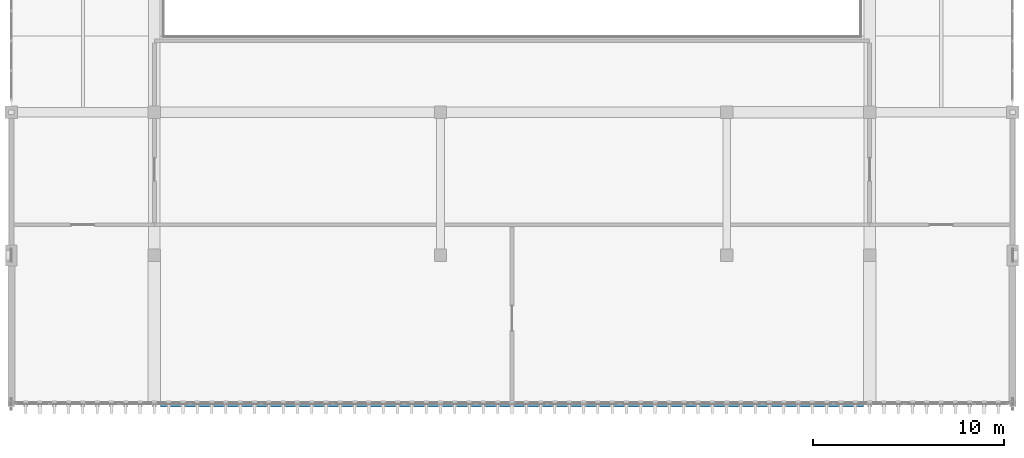
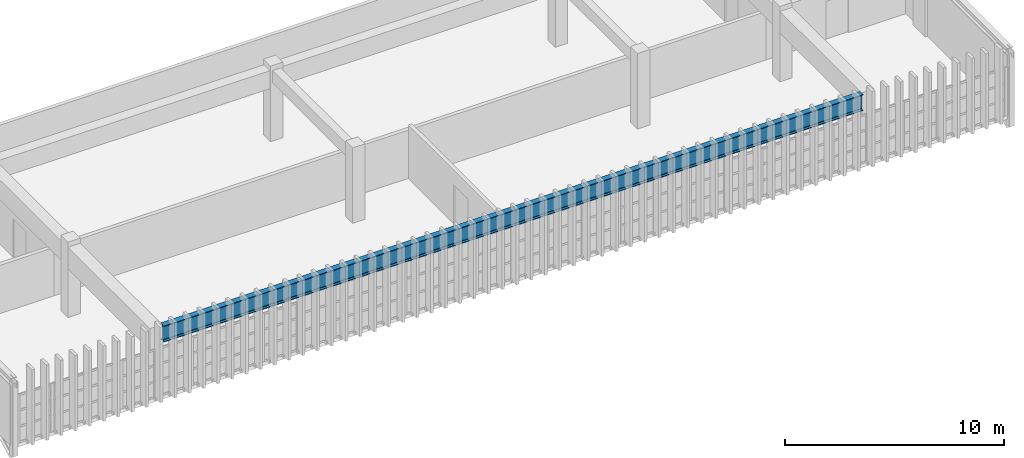
# One storey, part 11 of 51: 1 beam.
"""IFC4 building model written with IfcOpenShell, lengths in metres."""

import ifcopenshell
import ifcopenshell.guid

model = None  # the IFC model being written
_history = None  # IfcOwnerHistory: only IFC2X3 demands one
_inside = {}  # id of a spatial element -> (the spatial element, [elements in it])
_under = {}  # id of a project, library or spatial element -> (it, [spatial elements below it])
_declared = {}  # id of a project -> (the project, [libraries it declares])
_typed = {}  # id of a type object -> (the type object, [elements of that type])
_made_of = {}  # id of a material, layer set ... -> (it, [elements and type objects made of it])


def new_model(schema):
    """Start an empty IFC model of exactly this schema.

    Asked for "IFC4X3", IfcOpenShell would pick the latest addendum, in which some entities
    have other attributes; the version numbers below select the first issue.
    IFC2X3 requires an IfcOwnerHistory on every rooted entity: one is made here for all.
    """
    global model, _history
    if schema == "IFC4X3":
        model = ifcopenshell.file(schema_version=(4, 3, 0, 0))
    else:
        model = ifcopenshell.file(schema=schema)
    _inside.clear()
    _under.clear()
    _declared.clear()
    _typed.clear()
    _made_of.clear()
    _history = None
    if model.schema == "IFC2X3":
        org = make("IfcOrganization", Name="unknown")
        user = make(
            "IfcPersonAndOrganization",
            ThePerson=make("IfcPerson", FamilyName="unknown"),
            TheOrganization=org,
        )
        app = make(
            "IfcApplication",
            ApplicationDeveloper=org,
            Version="unknown",
            ApplicationFullName="unknown",
            ApplicationIdentifier="unknown",
        )
        _history = make(
            "IfcOwnerHistory",
            OwningUser=user,
            OwningApplication=app,
            ChangeAction="ADDED",
            CreationDate=0,
        )
    return model


def make(cls, **values):
    """One entity of the class cls with the attributes given. An attribute that is None is left unset."""
    return model.create_entity(
        cls, **{name: value for name, value in values.items() if value is not None}
    )


def rooted(cls, **values):
    """An entity with a GlobalId (a new one), such as an element, a storey or a relation."""
    return make(cls, GlobalId=ifcopenshell.guid.new(), OwnerHistory=_history, **values)


def si_unit(unit_type, name, prefix=None):
    """IfcSIUnit, for example si_unit("LENGTHUNIT", "METRE", prefix="MILLI")."""
    return make("IfcSIUnit", UnitType=unit_type, Prefix=prefix, Name=name)


def assignment(units):
    """IfcUnitAssignment: the units of a project."""
    return None if units is None else make("IfcUnitAssignment", Units=units)


def point(xyz):
    """IfcCartesianPoint."""
    return None if xyz is None else make("IfcCartesianPoint", Coordinates=xyz)


def direction(xyz):
    """IfcDirection."""
    return None if xyz is None else make("IfcDirection", DirectionRatios=xyz)


def frame(location, z_axis=None, x_axis=None):
    """IfcAxis2Placement3D, a coordinate frame: its origin and axes. An axis left out is left unset."""
    return make(
        "IfcAxis2Placement3D",
        Location=point(location),
        Axis=direction(z_axis),
        RefDirection=direction(x_axis),
    )


def frame_2d(location, x_axis=None):
    """IfcAxis2Placement2D, a coordinate frame in the plane: its origin and x axis."""
    return make(
        "IfcAxis2Placement2D", Location=point(location), RefDirection=direction(x_axis)
    )


def origin():
    """The frame at (0, 0, 0) with its axes left unset."""
    return frame((0.0, 0.0, 0.0))


def origin_2d():
    """The frame at (0, 0) in the plane with its x axis left unset."""
    return frame_2d((0.0, 0.0))


def place(relative_to, where):
    """IfcLocalPlacement: puts the frame where relative to a parent placement (None: the world)."""
    return make(
        "IfcLocalPlacement", PlacementRelTo=relative_to, RelativePlacement=where
    )


def context(
    kind, dimensions, precision=None, world=None, true_north=None, identifier=None
):
    """IfcGeometricRepresentationContext, for example the 3D "Model" context."""
    return make(
        "IfcGeometricRepresentationContext",
        ContextIdentifier=identifier,
        ContextType=kind,
        CoordinateSpaceDimension=dimensions,
        Precision=precision,
        WorldCoordinateSystem=world,
        TrueNorth=true_north,
    )


def subcontext(parent, identifier, kind, view, scale=None):
    """IfcGeometricRepresentationSubContext, for example "Body" below "Model"."""
    return make(
        "IfcGeometricRepresentationSubContext",
        ContextIdentifier=identifier,
        ContextType=kind,
        ParentContext=parent,
        TargetScale=scale,
        TargetView=view,
    )


def project(units=None, contexts=None):
    """IfcProject with its units and contexts."""
    return rooted(
        "IfcProject",
        Name="project",
        RepresentationContexts=contexts,
        UnitsInContext=assignment(units),
    )


def spatial(cls, under=None, at=None, **own):
    """A site, building, storey or space (cls), placed at a placement, below another one or the project."""
    s = rooted(cls, ObjectPlacement=at, **own)
    if under is not None:
        _under.setdefault(under.id(), (under, []))[1].append(s)
    return s


def profile(cls, at=None, kind="AREA", **sizes):
    """A parametric profile (cls). Its sizes go by their IFC names, for example OverallWidth=200.0."""
    return make(cls, ProfileType=kind, Position=at, **sizes)


def i_section(**sizes):
    """IfcIShapeProfileDef."""
    return profile("IfcIShapeProfileDef", **sizes)


def extrude(swept, where, along, depth):
    """IfcExtrudedAreaSolid: the profile swept, set in the frame where, extruded along a direction by depth."""
    return make(
        "IfcExtrudedAreaSolid",
        SweptArea=swept,
        Position=where,
        ExtrudedDirection=direction(along),
        Depth=depth,
    )


def shape(context_of_items, identifier, shape_type, items):
    """IfcShapeRepresentation: the items that make up one representation, for example the "Body"."""
    return make(
        "IfcShapeRepresentation",
        ContextOfItems=context_of_items,
        RepresentationIdentifier=identifier,
        RepresentationType=shape_type,
        Items=items,
    )


def material(Name=None, Category=None):
    """IfcMaterial."""
    return make("IfcMaterial", Name=Name, Category=Category)


def material_profile(
    of_material, cross_section, Name=None, Category=None, Priority=None
):
    """IfcMaterialProfile: a cross section and its material."""
    return make(
        "IfcMaterialProfile",
        Name=Name,
        Material=of_material,
        Profile=cross_section,
        Priority=Priority,
        Category=Category,
    )


def profile_set(profiles, Name=None, composite=None):
    """IfcMaterialProfileSet."""
    return make(
        "IfcMaterialProfileSet",
        Name=Name,
        MaterialProfiles=profiles,
        CompositeProfile=composite,
    )


def made_of(thing, what):
    """Note that an element or type object is made of a material, layer set ...; save() writes the relation."""
    if what is not None:
        _made_of.setdefault(what.id(), (what, []))[1].append(thing)
    return thing


def type_object(cls, material=None, **own):
    """A type object (cls), such as IfcWallType, which elements share."""
    return made_of(rooted(cls, **own), material)


def element(
    cls,
    number,
    at=None,
    inside=None,
    cuts=None,
    type_object=None,
    material=None,
    context=None,
    identifier="Body",
    shape_type=None,
    held_by="IfcProductDefinitionShape",
    body=None,
    shapes=None,
    **own,
):
    """One element of the class cls, such as IfcWall. Its Tag is "e" and its number.

    at: its placement. inside: the storey or other place that contains it. cuts: it is an
    opening in that element (IfcRelVoidsElement). A single representation is given by context,
    identifier, shape_type and body (its items); several are given by shapes. held_by: the class
    of the entity that holds the representations. save() writes the other relations.
    """
    e = rooted(cls, Tag="e%d" % number, ObjectPlacement=at, **own)
    if body is not None:
        shapes = [shape(context, identifier, shape_type, body)]
    if shapes is not None:
        e.Representation = make(held_by, Representations=shapes)
    if inside is not None:
        _inside.setdefault(inside.id(), (inside, []))[1].append(e)
    if cuts is not None:
        rooted(
            "IfcRelVoidsElement", RelatingBuildingElement=cuts, RelatedOpeningElement=e
        )
    if type_object is not None:
        _typed.setdefault(type_object.id(), (type_object, []))[1].append(e)
    return made_of(e, material)


def aggregate(whole, parts):
    """IfcRelAggregates: a whole, such as a stair, and the parts it consists of."""
    return rooted("IfcRelAggregates", RelatingObject=whole, RelatedObjects=parts)


def save(model, path):
    """Write the relations noted so far, then the file.

    IfcRelAggregates (storeys below a building ...), IfcRelContainedInSpatialStructure (elements
    in a storey), IfcRelDefinesByType, IfcRelAssociatesMaterial and IfcRelDeclares: one each for
    every whole, place, type object, material and project.
    """
    for whole, parts in _under.values():
        aggregate(whole, parts)
    for where, things in _inside.values():
        rooted(
            "IfcRelContainedInSpatialStructure",
            RelatedElements=things,
            RelatingStructure=where,
        )
    for kind, things in _typed.values():
        rooted("IfcRelDefinesByType", RelatedObjects=things, RelatingType=kind)
    for what, things in _made_of.values():
        rooted("IfcRelAssociatesMaterial", RelatedObjects=things, RelatingMaterial=what)
    for by, libraries in _declared.values():
        rooted("IfcRelDeclares", RelatingContext=by, RelatedDefinitions=libraries)
    model.write(path)


model = new_model("IFC4")

# Units and contexts
model_context = context("Model", 3, precision=1e-05, world=origin(), true_north=direction((0.0, 1.0)))
body_context = subcontext(model_context, "Body", "Model", "MODEL_VIEW")
ifc_project = project(units=[si_unit("LENGTHUNIT", "METRE"), si_unit("AREAUNIT", "SQUARE_METRE"), si_unit("VOLUMEUNIT", "CUBIC_METRE"), si_unit("PLANEANGLEUNIT", "RADIAN"), si_unit("MASSUNIT", "GRAM", prefix="KILO")], contexts=[model_context])

# Site, building, storey
site_placement = place(None, origin())
site = spatial("IfcSite", under=ifc_project, at=site_placement, CompositionType="ELEMENT")
building_placement = place(site_placement, origin())
building = spatial("IfcBuilding", under=site, at=building_placement, Name="Qasida Concert Hall", CompositionType="ELEMENT")
storey_placement = place(building_placement, frame((0.0, 0.0, 21.0)))
storey = spatial("IfcBuildingStorey", under=building, at=storey_placement, Name="L05", CompositionType="ELEMENT", Elevation=21.0)

# Beam
ifc_material = material(Name="Steel S355J2", Category="steel")
ifc_material_profile = material_profile(ifc_material, i_section(OverallWidth=0.300048828125, OverallDepth=0.89990234375, WebThickness=0.0185546875, FlangeThickness=0.034912109375, FilletRadius=0.030029296875, at=origin_2d()), Name="HEB 900")
ifc_profile_set = profile_set([ifc_material_profile], Name="Steel S355J2")
beam_type = type_object("IfcBeamType", Name="BM-B9", PredefinedType="BEAM", material=ifc_profile_set)
beam_placement = place(storey_placement, frame((60.324951171875, 14.699951171875, 3.469970703125), z_axis=(1.0, 0.0, 0.0), x_axis=(0.0, 1.0, 0.0)))
element("IfcBeam", 1, at=beam_placement, inside=storey, type_object=beam_type, Name="Front overhang fascia beam 031", PredefinedType="BEAM", context=body_context, shape_type="SweptSolid", body=[
    extrude(i_section(OverallWidth=0.300048828125, OverallDepth=0.89990234375, WebThickness=0.0185546875, FlangeThickness=0.034912109375, FilletRadius=0.030029296875, at=origin_2d()), origin(), (0.0, 0.0, 1.0), 36.85009765625),
])

save(model, "model.ifc")
